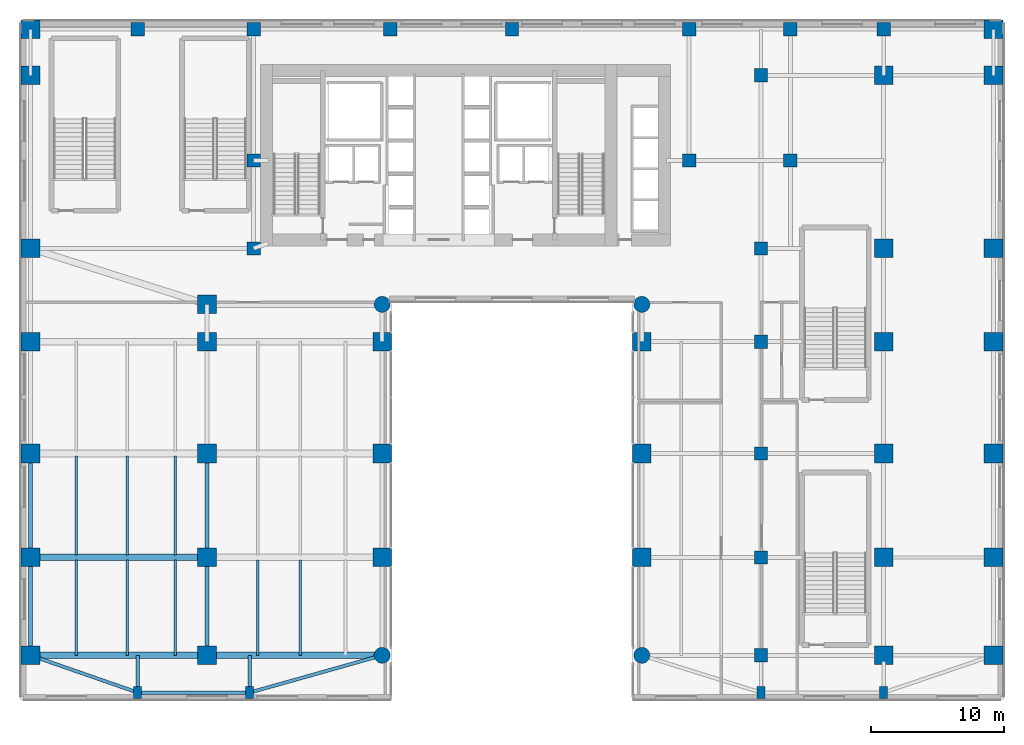
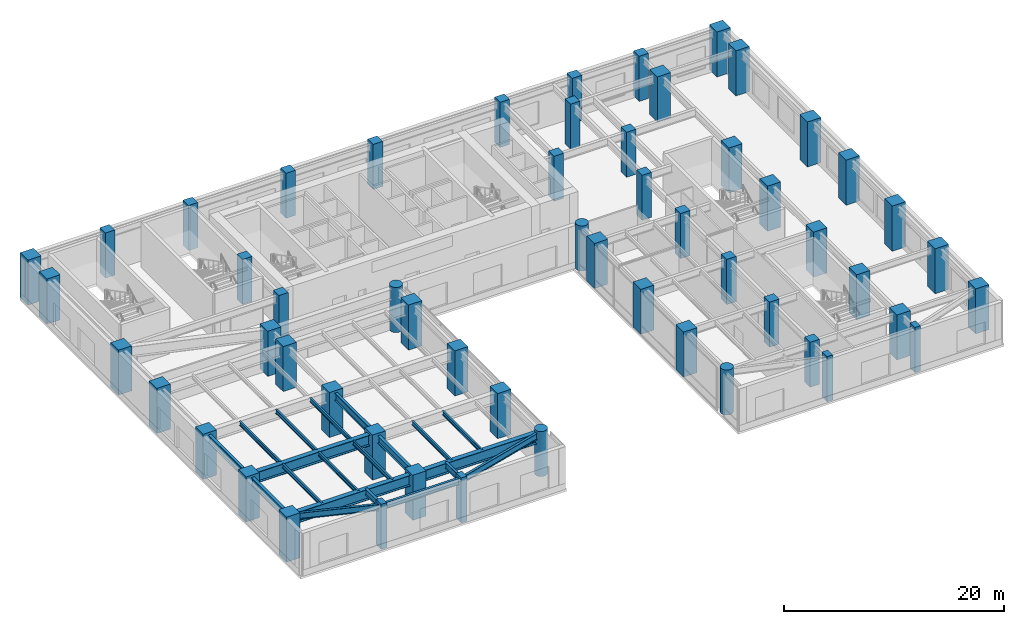
# One storey, part 1 of 24: 56 columns, 20 beams.
"""IFC4 building model written with IfcOpenShell, lengths in metres."""

from ifc_helpers import new_model, si_unit, direction, frame, origin, origin_2d, place, context, subcontext, project, spatial, rectangle, circle, i_section, extrude, source, transform, mapped, material, material_profile, profile_set, type_object, type_shapes, element, save


model = new_model("IFC4")

# Units and contexts
model_context = context("Model", 3, precision=1e-05, world=origin(), true_north=direction((0.0, 1.0)))
body_context = subcontext(model_context, "Body", "Model", "MODEL_VIEW")
ifc_project = project(units=[si_unit("LENGTHUNIT", "METRE"), si_unit("AREAUNIT", "SQUARE_METRE"), si_unit("VOLUMEUNIT", "CUBIC_METRE"), si_unit("PLANEANGLEUNIT", "RADIAN"), si_unit("MASSUNIT", "GRAM", prefix="KILO")], contexts=[model_context])

# Site, building, storey
site_placement = place(None, origin())
site = spatial("IfcSite", under=ifc_project, at=site_placement, CompositionType="ELEMENT")
building_placement = place(site_placement, origin())
building = spatial("IfcBuilding", under=site, at=building_placement, Name="Tolvann Quenvar Hotel", CompositionType="ELEMENT")
storey_placement = place(building_placement, frame((0.0, 0.0, 6.0)))
storey = spatial("IfcBuildingStorey", under=building, at=storey_placement, Name="L01", CompositionType="ELEMENT", Elevation=6.0)

# Columns
ifc_material_1 = material(Name="Concrete S80 (80 MPa)", Category="concrete")
ifc_material_profile_1 = material_profile(ifc_material_1, rectangle(XDim=1.39990234375, YDim=1.39990234375, at=origin_2d()), Name="RC1400x1400")
ifc_profile_set_1 = profile_set([ifc_material_profile_1], Name="Concrete S80 (80 MPa)")
column_type_1 = type_object("IfcColumnType", Name="COL_RC1400", PredefinedType="COLUMN", material=ifc_profile_set_1)
shared_shape_1 = source(origin(), body_context, "Body", "SweptSolid", [
    extrude(rectangle(XDim=1.39990234375, YDim=1.39990234375, at=origin_2d()), origin(), (0.0, 0.0, 1.0), 5.0),
])
type_shapes(column_type_1, [shared_shape_1])
for number, where, z_axis, x_axis, name in (
    (1, (-7.64990234375, 0.85009765625, 0.0), (0.0, 0.0, 1.0), (1.0, 0.0, 0.0), "Column PA1 (L01)"),
    (2, (64.64990234375, 0.85009765625, 0.0), (0.0, 0.0, 1.0), (1.0, 0.0, 0.0), "Column PK1 (L01)"),
    (3, (-7.64990234375, 8.199951171875, 0.0), (0.0, 0.0, 1.0), (1.0, 0.0, 0.0), "Column PA2 (L01)"),
    (4, (64.64990234375, 8.199951171875, 0.0), (0.0, 0.0, 1.0), (1.0, 0.0, 0.0), "Column PK2 (L01)"),
    (5, (-7.64990234375, 16.0, 0.0), (0.0, 0.0, 1.0), (1.0, 0.0, 0.0), "Column PA3 (L01)"),
    (6, (64.64990234375, 16.0, 0.0), (0.0, 0.0, 1.0), (1.0, 0.0, 0.0), "Column PK3 (L01)"),
    (7, (-7.64990234375, 24.39990234375, 0.0), (0.0, 0.0, 1.0), (1.0, 0.0, 0.0), "Column PA4 (L01)"),
    (8, (64.64990234375, 24.39990234375, 0.0), (0.0, 0.0, 1.0), (1.0, 0.0, 0.0), "Column PK4 (L01)"),
    (9, (-7.64990234375, 31.39990234375, 0.0), (0.0, 0.0, 1.0), (1.0, 0.0, 0.0), "Column PA5 (L01)"),
    (10, (64.64990234375, 31.39990234375, 0.0), (0.0, 0.0, 1.0), (1.0, 0.0, 0.0), "Column PK5 (L01)"),
    (11, (-7.64990234375, 44.39990234375, 0.0), (0.0, 0.0, 1.0), (1.0, 0.0, 0.0), "Column PA6 (L01)"),
    (12, (64.64990234375, 44.39990234375, 0.0), (0.0, 0.0, 1.0), (1.0, 0.0, 0.0), "Column PK6 (L01)"),
    (13, (-7.64990234375, 47.85009765625, 0.0), (0.0, 0.0, 1.0), (1.0, 0.0, 0.0), "Column PAN (L01)"),
    (14, (64.64990234375, 47.85009765625, 0.0), (0.0, 0.0, 1.0), (1.0, 0.0, 0.0), "Column PKN (L01)"),
    (15, (18.75, 8.199951171875, 0.0), (0.0, 0.0, 1.0), (1.0, 0.0, 0.0), "Column PAPW2 (L01)"),
    (16, (38.25, 8.199951171875, 0.0), (0.0, 0.0, 1.0), (1.0, 0.0, 0.0), "Column PAPE2 (L01)"),
    (17, (18.75, 16.0, 0.0), (0.0, 0.0, 1.0), (1.0, 0.0, 0.0), "Column PAPW3 (L01)"),
    (18, (38.25, 16.0, 0.0), (0.0, 0.0, 1.0), (1.0, 0.0, 0.0), "Column PAPE3 (L01)"),
    (19, (18.75, 24.39990234375, 0.0), (0.0, 0.0, 1.0), (1.0, 0.0, 0.0), "Column PAPW4 (L01)"),
    (20, (38.25, 24.39990234375, 0.0), (0.0, 0.0, 1.0), (1.0, 0.0, 0.0), "Column PAPE4 (L01)"),
    (21, (56.39990234375, 0.85009765625, 0.0), (0.0, 0.0, 1.0), (1.0, 0.0, 0.0), "Column PJ1 (L01)"),
    (22, (56.39990234375, 8.199951171875, 0.0), (0.0, 0.0, 1.0), (1.0, 0.0, 0.0), "Column PJ2 (L01)"),
    (23, (56.39990234375, 16.0, 0.0), (0.0, 0.0, 1.0), (1.0, 0.0, 0.0), "Column PJ3 (L01)"),
    (24, (56.39990234375, 24.39990234375, 0.0), (0.0, 0.0, 1.0), (1.0, 0.0, 0.0), "Column PJ4 (L01)"),
    (25, (56.39990234375, 31.39990234375, 0.0), (0.0, 0.0, 1.0), (1.0, 0.0, 0.0), "Column PJ5 (L01)"),
    (26, (56.39990234375, 44.39990234375, 0.0), (0.0, 0.0, 1.0), (1.0, 0.0, 0.0), "Column PJ6 (L01)"),
    (27, (5.60009765625, 0.85009765625, 0.0), (0.0, 0.0, 1.0), (1.0, 0.0, 0.0), "Column PBAL1 (L01)"),
    (28, (5.60009765625, 8.199951171875, 0.0), (0.0, 0.0, 1.0), (1.0, 0.0, 0.0), "Column PBAL2 (L01)"),
    (29, (5.60009765625, 16.0, 0.0), (0.0, 0.0, 1.0), (1.0, 0.0, 0.0), "Column PBAL3 (L01)"),
    (30, (5.60009765625, 24.39990234375, 0.0), (0.0, 0.0, 1.0), (1.0, 0.0, 0.0), "Column PBAL4 (L01)"),
    (31, (5.60009765625, 27.199951171875, 0.0), (0.0, 0.0, 1.0), (1.0, 0.0, 0.0), "Column PBAL5 (L01)"),
):
    element("IfcColumn", number, at=place(storey_placement, frame(where, z_axis=z_axis, x_axis=x_axis)), inside=storey, type_object=column_type_1, Name=name, PredefinedType="COLUMN", context=body_context, shape_type="MappedRepresentation", body=[
        mapped(shared_shape_1, transform((0.0, 0.0, 0.0), x_axis=(1.0, 0.0, 0.0), y_axis=(0.0, 1.0, 0.0), z_axis=(0.0, 0.0, 1.0), scale=1.0)),
    ])
ifc_material_profile_2 = material_profile(ifc_material_1, circle(Radius=0.60009765625, at=origin_2d()), Name="RCC1200")
ifc_profile_set_2 = profile_set([ifc_material_profile_2], Name="Concrete S80 (80 MPa)")
column_type_2 = type_object("IfcColumnType", Name="COL_RCC1200", PredefinedType="COLUMN", material=ifc_profile_set_2)
shared_shape_2 = source(origin(), body_context, "Body", "SweptSolid", [
    extrude(circle(Radius=0.60009765625, at=origin_2d()), origin(), (0.0, 0.0, 1.0), 5.0),
])
type_shapes(column_type_2, [shared_shape_2])
for number, where, z_axis, x_axis, name in (
    (32, (18.75, 0.85009765625, 0.0), (0.0, 0.0, 1.0), (1.0, 0.0, 0.0), "Column PAPW1 (L01)"),
    (33, (38.25, 0.85009765625, 0.0), (0.0, 0.0, 1.0), (1.0, 0.0, 0.0), "Column PAPE1 (L01)"),
    (34, (18.75, 27.199951171875, 0.0), (0.0, 0.0, 1.0), (1.0, 0.0, 0.0), "Column PAPW5 (L01)"),
    (35, (38.25, 27.199951171875, 0.0), (0.0, 0.0, 1.0), (1.0, 0.0, 0.0), "Column PAPE5 (L01)"),
):
    element("IfcColumn", number, at=place(storey_placement, frame(where, z_axis=z_axis, x_axis=x_axis)), inside=storey, type_object=column_type_2, Name=name, PredefinedType="COLUMN", context=body_context, shape_type="MappedRepresentation", body=[
        mapped(shared_shape_2, transform((0.0, 0.0, 0.0), x_axis=(1.0, 0.0, 0.0), y_axis=(0.0, 1.0, 0.0), z_axis=(0.0, 0.0, 1.0), scale=1.0)),
    ])
ifc_material_2 = material(Name="Concrete S65 (65 MPa)", Category="concrete")
ifc_material_profile_3 = material_profile(ifc_material_2, rectangle(XDim=1.0, YDim=1.0, at=origin_2d()), Name="RC1000x1000")
ifc_profile_set_3 = profile_set([ifc_material_profile_3], Name="Concrete S65 (65 MPa)")
column_type_3 = type_object("IfcColumnType", Name="COL_RC1000", PredefinedType="COLUMN", material=ifc_profile_set_3)
shared_shape_3 = source(origin(), body_context, "Body", "SweptSolid", [
    extrude(rectangle(XDim=1.0, YDim=1.0, at=origin_2d()), origin(), (0.0, 0.0, 1.0), 5.0),
])
type_shapes(column_type_3, [shared_shape_3])
for number, where, z_axis, x_axis, name in (
    (36, (47.199951171875, 0.85009765625, 0.0), (0.0, 0.0, 1.0), (1.0, 0.0, 0.0), "Column PH1 (L01)"),
    (37, (47.199951171875, 8.199951171875, 0.0), (0.0, 0.0, 1.0), (1.0, 0.0, 0.0), "Column PH2 (L01)"),
    (38, (47.199951171875, 16.0, 0.0), (0.0, 0.0, 1.0), (1.0, 0.0, 0.0), "Column PH3 (L01)"),
    (39, (47.199951171875, 24.39990234375, 0.0), (0.0, 0.0, 1.0), (1.0, 0.0, 0.0), "Column PH4 (L01)"),
    (40, (47.199951171875, 31.39990234375, 0.0), (0.0, 0.0, 1.0), (1.0, 0.0, 0.0), "Column PH5 (L01)"),
    (41, (47.199951171875, 44.39990234375, 0.0), (0.0, 0.0, 1.0), (1.0, 0.0, 0.0), "Column PH6 (L01)"),
    (42, (0.39990234375, 47.85009765625, 0.0), (0.0, 0.0, 1.0), (1.0, 0.0, 0.0), "Column PN1 (L01)"),
    (43, (9.10009765625, 47.85009765625, 0.0), (0.0, 0.0, 1.0), (1.0, 0.0, 0.0), "Column PN2 (L01)"),
    (44, (19.35009765625, 47.85009765625, 0.0), (0.0, 0.0, 1.0), (1.0, 0.0, 0.0), "Column PN3 (L01)"),
    (45, (28.5, 47.85009765625, 0.0), (0.0, 0.0, 1.0), (1.0, 0.0, 0.0), "Column PN4 (L01)"),
    (46, (41.800048828125, 47.85009765625, 0.0), (0.0, 0.0, 1.0), (1.0, 0.0, 0.0), "Column PN5 (L01)"),
    (47, (49.39990234375, 47.85009765625, 0.0), (0.0, 0.0, 1.0), (1.0, 0.0, 0.0), "Column PN6 (L01)"),
    (48, (56.39990234375, 47.85009765625, 0.0), (0.0, 0.0, 1.0), (1.0, 0.0, 0.0), "Column PN7 (L01)"),
    (49, (9.10009765625, 38.0, 0.0), (0.0, 0.0, 1.0), (1.0, 0.0, 0.0), "Column PCN (L01)"),
    (50, (41.800048828125, 38.0, 0.0), (0.0, 0.0, 1.0), (1.0, 0.0, 0.0), "Column PHN (L01)"),
    (51, (49.39990234375, 38.0, 0.0), (0.0, 0.0, 1.0), (1.0, 0.0, 0.0), "Column PIN (L01)"),
    (52, (9.10009765625, 31.39990234375, 0.0), (0.0, 0.0, 1.0), (1.0, 0.0, 0.0), "Column PCNS (L01)"),
):
    element("IfcColumn", number, at=place(storey_placement, frame(where, z_axis=z_axis, x_axis=x_axis)), inside=storey, type_object=column_type_3, Name=name, PredefinedType="COLUMN", context=body_context, shape_type="MappedRepresentation", body=[
        mapped(shared_shape_3, transform((0.0, 0.0, 0.0), x_axis=(1.0, 0.0, 0.0), y_axis=(0.0, 1.0, 0.0), z_axis=(0.0, 0.0, 1.0), scale=1.0)),
    ])
ifc_material_3 = material(Name="Concrete N50 (50 MPa)", Category="concrete")
ifc_material_profile_4 = material_profile(ifc_material_3, rectangle(XDim=0.60009765625, YDim=0.89990234375, at=origin_2d()), Name="RC600x900")
ifc_profile_set_4 = profile_set([ifc_material_profile_4], Name="Concrete N50 (50 MPa)")
column_type_4 = type_object("IfcColumnType", Name="COL_PILASTER_600x900", PredefinedType="PILASTER", material=ifc_profile_set_4)
shared_shape_4 = source(origin(), body_context, "Body", "SweptSolid", [
    extrude(rectangle(XDim=0.60009765625, YDim=0.89990234375, at=origin_2d()), origin(), (0.0, 0.0, 1.0), 5.0),
])
type_shapes(column_type_4, [shared_shape_4])
for number, where, z_axis, x_axis, name in (
    (53, (0.39990234375, -1.949951171875, 0.0), (0.0, 0.0, 1.0), (1.0, 0.0, 0.0), "Column PIL-S1 (L01)"),
    (54, (8.800048828125, -1.949951171875, 0.0), (0.0, 0.0, 1.0), (1.0, 0.0, 0.0), "Column PIL-S2 (L01)"),
    (55, (47.199951171875, -1.949951171875, 0.0), (0.0, 0.0, 1.0), (1.0, 0.0, 0.0), "Column PIL-S3 (L01)"),
    (56, (56.39990234375, -1.949951171875, 0.0), (0.0, 0.0, 1.0), (1.0, 0.0, 0.0), "Column PIL-S4 (L01)"),
):
    element("IfcColumn", number, at=place(storey_placement, frame(where, z_axis=z_axis, x_axis=x_axis)), inside=storey, type_object=column_type_4, Name=name, PredefinedType="PILASTER", context=body_context, shape_type="MappedRepresentation", body=[
        mapped(shared_shape_4, transform((0.0, 0.0, 0.0), x_axis=(1.0, 0.0, 0.0), y_axis=(0.0, 1.0, 0.0), z_axis=(0.0, 0.0, 1.0), scale=1.0)),
    ])

# Beams
ifc_material_4 = material(Name="Steel Grade 350", Category="steel")
ifc_material_profile_5 = material_profile(ifc_material_4, i_section(OverallWidth=0.5, OverallDepth=1.199951171875, WebThickness=0.01611328125, FlangeThickness=0.0400390625, at=origin_2d()), Name="1200WB455")
ifc_profile_set_5 = profile_set([ifc_material_profile_5], Name="Steel Grade 350")
beam_type_1 = type_object("IfcBeamType", Name="BM_TG_1200WB455", PredefinedType="USERDEFINED", material=ifc_profile_set_5)
shared_shape_5 = source(origin(), body_context, "Body", "SweptSolid", [
    extrude(i_section(OverallWidth=0.5, OverallDepth=1.199951171875, WebThickness=0.01611328125, FlangeThickness=0.0400390625, at=origin_2d()), origin(), (0.0, 0.0, 1.0), 13.25),
])
for number, where, z_axis, x_axis, name in (
    (57, (-7.64990234375, 0.85009765625, 4.139892578125), (1.0, 0.0, 0.0), (0.0, 1.0, 0.0), "BM-L01-GW1-1"),
    (58, (-7.64990234375, 8.199951171875, 4.139892578125), (1.0, 0.0, 0.0), (0.0, 1.0, 0.0), "BM-L01-GW1-2"),
):
    element("IfcBeam", number, at=place(storey_placement, frame(where, z_axis=z_axis, x_axis=x_axis)), inside=storey, type_object=beam_type_1, Name=name, ObjectType="TRANSFER GIRDER", PredefinedType="USERDEFINED", context=body_context, shape_type="MappedRepresentation", body=[
        mapped(shared_shape_5, transform((0.0, 0.0, 0.0), x_axis=(1.0, 0.0, 0.0), y_axis=(0.0, 1.0, 0.0), z_axis=(0.0, 0.0, 1.0), scale=1.0)),
    ])
shared_shape_6 = source(origin(), body_context, "Body", "SweptSolid", [
    extrude(i_section(OverallWidth=0.5, OverallDepth=1.199951171875, WebThickness=0.01611328125, FlangeThickness=0.0400390625, at=origin_2d()), origin(), (0.0, 0.0, 1.0), 13.14990234375),
])
type_shapes(beam_type_1, [shared_shape_5, shared_shape_6])
beam_1_placement = place(storey_placement, frame((5.60009765625, 0.85009765625, 4.139892578125), z_axis=(1.0, 0.0, 0.0), x_axis=(0.0, 1.0, 0.0)))
element("IfcBeam", 59, at=beam_1_placement, inside=storey, type_object=beam_type_1, Name="BM-L01-GW2-1", ObjectType="TRANSFER GIRDER", PredefinedType="USERDEFINED", context=body_context, shape_type="MappedRepresentation", body=[
    mapped(shared_shape_6, transform((0.0, 0.0, 0.0), x_axis=(1.0, 0.0, 0.0), y_axis=(0.0, 1.0, 0.0), z_axis=(0.0, 0.0, 1.0), scale=1.0)),
])
ifc_material_profile_6 = material_profile(ifc_material_4, i_section(OverallWidth=0.300048828125, OverallDepth=0.81591796875, WebThickness=0.010009765625, FlangeThickness=0.028076171875, at=origin_2d()), Name="800WB192")
ifc_profile_set_6 = profile_set([ifc_material_profile_6], Name="Steel Grade 350")
beam_type_2 = type_object("IfcBeamType", Name="BM_GIRD_800WB192", PredefinedType="BEAM", material=ifc_profile_set_6)
shared_shape_7 = source(origin(), body_context, "Body", "SweptSolid", [
    extrude(i_section(OverallWidth=0.300048828125, OverallDepth=0.81591796875, WebThickness=0.010009765625, FlangeThickness=0.028076171875, at=origin_2d()), origin(), (0.0, 0.0, 1.0), 7.349853515625),
])
for number, where, z_axis, x_axis, name in (
    (60, (5.60009765625, 0.85009765625, 4.33203125), (0.0, 1.0, 0.0), (-1.0, 0.0, 0.0), "BM-L01-NS-PBAL-0"),
    (61, (-7.64990234375, 0.85009765625, 4.33203125), (0.0, 1.0, 0.0), (-1.0, 0.0, 0.0), "BM-L01-NS-A-0"),
):
    element("IfcBeam", number, at=place(storey_placement, frame(where, z_axis=z_axis, x_axis=x_axis)), inside=storey, type_object=beam_type_2, Name=name, PredefinedType="BEAM", context=body_context, shape_type="MappedRepresentation", body=[
        mapped(shared_shape_7, transform((0.0, 0.0, 0.0), x_axis=(1.0, 0.0, 0.0), y_axis=(0.0, 1.0, 0.0), z_axis=(0.0, 0.0, 1.0), scale=1.0)),
    ])
shared_shape_8 = source(origin(), body_context, "Body", "SweptSolid", [
    extrude(i_section(OverallWidth=0.300048828125, OverallDepth=0.81591796875, WebThickness=0.010009765625, FlangeThickness=0.028076171875, at=origin_2d()), origin(), (0.0, 0.0, 1.0), 7.800048828125),
])
type_shapes(beam_type_2, [shared_shape_7, shared_shape_8])
for number, where, z_axis, x_axis, name in (
    (62, (5.60009765625, 8.199951171875, 4.33203125), (0.0, 1.0, 0.0), (-1.0, 0.0, 0.0), "BM-L01-NS-PBAL-1"),
    (63, (-7.64990234375, 8.199951171875, 4.33203125), (0.0, 1.0, 0.0), (-1.0, 0.0, 0.0), "BM-L01-NS-A-1"),
):
    element("IfcBeam", number, at=place(storey_placement, frame(where, z_axis=z_axis, x_axis=x_axis)), inside=storey, type_object=beam_type_2, Name=name, PredefinedType="BEAM", context=body_context, shape_type="MappedRepresentation", body=[
        mapped(shared_shape_8, transform((0.0, 0.0, 0.0), x_axis=(1.0, 0.0, 0.0), y_axis=(0.0, 1.0, 0.0), z_axis=(0.0, 0.0, 1.0), scale=1.0)),
    ])
ifc_material_profile_7 = material_profile(ifc_material_4, i_section(OverallWidth=0.25, OverallDepth=0.699951171875, WebThickness=0.010009765625, FlangeThickness=0.02392578125, at=origin_2d()), Name="700WB150")
ifc_profile_set_7 = profile_set([ifc_material_profile_7], Name="Steel Grade 350")
beam_type_3 = type_object("IfcBeamType", Name="BM_GIRD_700WB150", PredefinedType="BEAM", material=ifc_profile_set_7)
shared_shape_9 = source(origin(), body_context, "Body", "SweptSolid", [
    extrude(i_section(OverallWidth=0.25, OverallDepth=0.699951171875, WebThickness=0.010009765625, FlangeThickness=0.02392578125, at=origin_2d()), origin(), (0.0, 0.0, 1.0), 8.52294921875),
])
beam_2_placement = place(storey_placement, frame((-7.64990234375, 0.85009765625, 4.389892578125), z_axis=(0.944492545724, -0.328532846261, 0.0), x_axis=(0.328532846261, 0.944492545724, 0.0)))
element("IfcBeam", 64, at=beam_2_placement, inside=storey, type_object=beam_type_3, Name="BM-L01-EWS-W0", PredefinedType="BEAM", context=body_context, shape_type="MappedRepresentation", body=[
    mapped(shared_shape_9, transform((0.0, 0.0, 0.0), x_axis=(1.0, 0.0, 0.0), y_axis=(0.0, 1.0, 0.0), z_axis=(0.0, 0.0, 1.0), scale=1.0)),
])
shared_shape_10 = source(origin(), body_context, "Body", "SweptSolid", [
    extrude(i_section(OverallWidth=0.25, OverallDepth=0.699951171875, WebThickness=0.010009765625, FlangeThickness=0.02392578125, at=origin_2d()), origin(), (0.0, 0.0, 1.0), 8.400146484375),
])
beam_3_placement = place(storey_placement, frame((0.39990234375, -1.949951171875, 4.389892578125), z_axis=(1.0, 0.0, 0.0), x_axis=(0.0, 1.0, 0.0)))
element("IfcBeam", 65, at=beam_3_placement, inside=storey, type_object=beam_type_3, Name="BM-L01-EWS-W1", PredefinedType="BEAM", context=body_context, shape_type="MappedRepresentation", body=[
    mapped(shared_shape_10, transform((0.0, 0.0, 0.0), x_axis=(1.0, 0.0, 0.0), y_axis=(0.0, 1.0, 0.0), z_axis=(0.0, 0.0, 1.0), scale=1.0)),
])
shared_shape_11 = source(origin(), body_context, "Body", "SweptSolid", [
    extrude(i_section(OverallWidth=0.25, OverallDepth=0.699951171875, WebThickness=0.010009765625, FlangeThickness=0.02392578125, at=origin_2d()), origin(), (0.0, 0.0, 1.0), 10.33642578125),
])
beam_4_placement = place(storey_placement, frame((8.800048828125, -1.949951171875, 4.389892578125), z_axis=(0.962609953155, 0.270891266169, 0.0), x_axis=(-0.270891266169, 0.962609953155, 0.0)))
element("IfcBeam", 66, at=beam_4_placement, inside=storey, type_object=beam_type_3, Name="BM-L01-EWS-W2", PredefinedType="BEAM", context=body_context, shape_type="MappedRepresentation", body=[
    mapped(shared_shape_11, transform((0.0, 0.0, 0.0), x_axis=(1.0, 0.0, 0.0), y_axis=(0.0, 1.0, 0.0), z_axis=(0.0, 0.0, 1.0), scale=1.0)),
])
shared_shape_12 = source(origin(), body_context, "Body", "SweptSolid", [
    extrude(i_section(OverallWidth=0.25, OverallDepth=0.699951171875, WebThickness=0.010009765625, FlangeThickness=0.02392578125, at=origin_2d()), origin(), (0.0, 0.0, 1.0), 2.800048828125),
])
type_shapes(beam_type_3, [shared_shape_9, shared_shape_10, shared_shape_11, shared_shape_12])
for number, where, z_axis, x_axis, name in (
    (67, (0.39990234375, -1.949951171875, 4.389892578125), (0.0, 1.0, 0.0), (-1.0, 0.0, 0.0), "BM-L01-TIE-S-0"),
    (68, (8.800048828125, -1.949951171875, 4.389892578125), (0.0, 1.0, 0.0), (-1.0, 0.0, 0.0), "BM-L01-TIE-S-8"),
):
    element("IfcBeam", number, at=place(storey_placement, frame(where, z_axis=z_axis, x_axis=x_axis)), inside=storey, type_object=beam_type_3, Name=name, PredefinedType="BEAM", context=body_context, shape_type="MappedRepresentation", body=[
        mapped(shared_shape_12, transform((0.0, 0.0, 0.0), x_axis=(1.0, 0.0, 0.0), y_axis=(0.0, 1.0, 0.0), z_axis=(0.0, 0.0, 1.0), scale=1.0)),
    ])
ifc_material_profile_8 = material_profile(ifc_material_4, i_section(OverallWidth=0.18994140625, OverallDepth=0.4541015625, WebThickness=0.008544921875, FlangeThickness=0.0126953125, FilletRadius=0.011474609375, at=origin_2d()), Name="460UB67")
ifc_profile_set_8 = profile_set([ifc_material_profile_8], Name="Steel Grade 350")
beam_type_4 = type_object("IfcBeamType", Name="BM_JOIST_460UB67", PredefinedType="JOIST", material=ifc_profile_set_8)
shared_shape_13 = source(origin(), body_context, "Body", "SweptSolid", [
    extrude(i_section(OverallWidth=0.18994140625, OverallDepth=0.4541015625, WebThickness=0.008544921875, FlangeThickness=0.0126953125, FilletRadius=0.011474609375, at=origin_2d()), origin(), (0.0, 0.0, 1.0), 7.164794921875),
])
for number, where, z_axis, x_axis, name in (
    (69, (-4.199951171875, 0.85009765625, 4.512939453125), (0.0, 1.0, 0.0), (-1.0, 0.0, 0.0), "BJ-L01--42-8"),
    (70, (-0.39990234375, 0.85009765625, 4.512939453125), (0.0, 1.0, 0.0), (-1.0, 0.0, 0.0), "BJ-L01--4-8"),
    (71, (3.199951171875, 0.85009765625, 4.512939453125), (0.0, 1.0, 0.0), (-1.0, 0.0, 0.0), "BJ-L01-32-8"),
    (72, (9.39990234375, 0.85009765625, 4.512939453125), (0.0, 1.0, 0.0), (-1.0, 0.0, 0.0), "BJ-L01-94-8"),
    (73, (12.60009765625, 0.85009765625, 4.512939453125), (0.0, 1.0, 0.0), (-1.0, 0.0, 0.0), "BJ-L01-126-8"),
):
    element("IfcBeam", number, at=place(storey_placement, frame(where, z_axis=z_axis, x_axis=x_axis)), inside=storey, type_object=beam_type_4, Name=name, PredefinedType="JOIST", context=body_context, shape_type="MappedRepresentation", body=[
        mapped(shared_shape_13, transform((0.0, 0.0, 0.0), x_axis=(1.0, 0.0, 0.0), y_axis=(0.0, 1.0, 0.0), z_axis=(0.0, 0.0, 1.0), scale=1.0)),
    ])
shared_shape_14 = source(origin(), body_context, "Body", "SweptSolid", [
    extrude(i_section(OverallWidth=0.18994140625, OverallDepth=0.4541015625, WebThickness=0.008544921875, FlangeThickness=0.0126953125, FilletRadius=0.011474609375, at=origin_2d()), origin(), (0.0, 0.0, 1.0), 7.429931640625),
])
type_shapes(beam_type_4, [shared_shape_13, shared_shape_14])
for number, where, z_axis, x_axis, name in (
    (74, (-4.199951171875, 8.385009765625, 4.512939453125), (0.0, 1.0, 0.0), (-1.0, 0.0, 0.0), "BJ-L01--42-82"),
    (75, (-0.39990234375, 8.385009765625, 4.512939453125), (0.0, 1.0, 0.0), (-1.0, 0.0, 0.0), "BJ-L01--4-82"),
    (76, (3.199951171875, 8.385009765625, 4.512939453125), (0.0, 1.0, 0.0), (-1.0, 0.0, 0.0), "BJ-L01-32-82"),
):
    element("IfcBeam", number, at=place(storey_placement, frame(where, z_axis=z_axis, x_axis=x_axis)), inside=storey, type_object=beam_type_4, Name=name, PredefinedType="JOIST", context=body_context, shape_type="MappedRepresentation", body=[
        mapped(shared_shape_14, transform((0.0, 0.0, 0.0), x_axis=(1.0, 0.0, 0.0), y_axis=(0.0, 1.0, 0.0), z_axis=(0.0, 0.0, 1.0), scale=1.0)),
    ])

save(model, "model.ifc")
